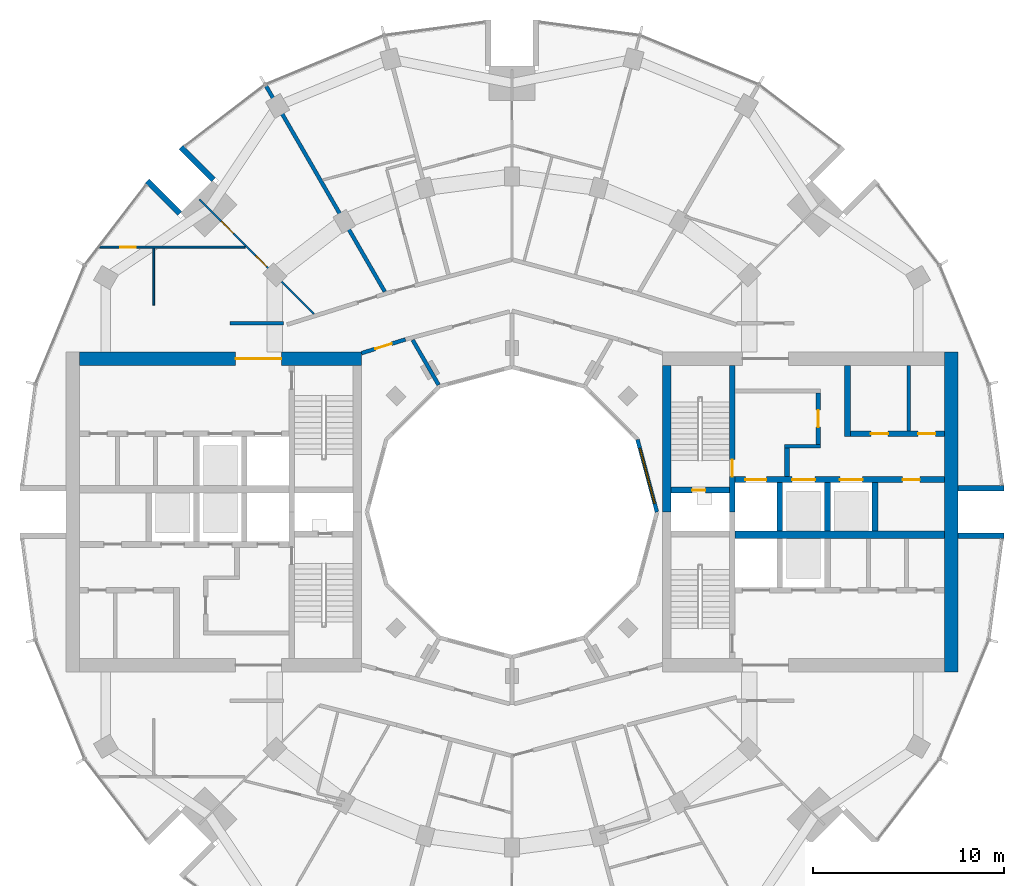
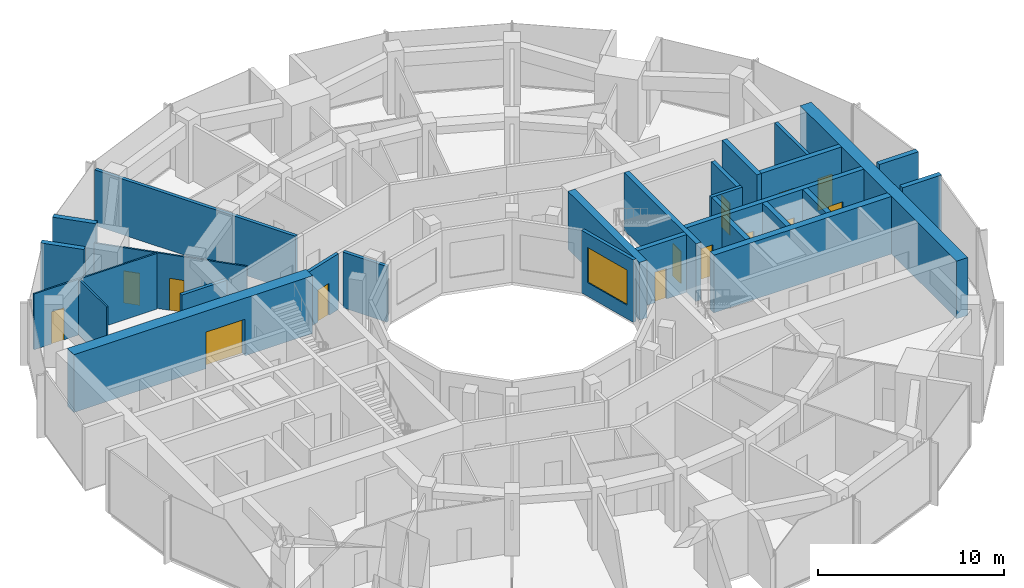
# One storey, part 11 of 15: 28 walls, 14 doors, 1 window, 15 openings.
"""IFC4 building model written with IfcOpenShell, lengths in metres."""

from ifc_helpers import new_model, si_unit, direction, frame, frame_2d, origin, place, context, subcontext, project, spatial, rectangle, extrude, material, layer, layer_set, type_object, element, fill, save


model = new_model("IFC4")

# Units and contexts
model_context = context("Model", 3, precision=1e-05, world=origin(), true_north=direction((0.0, 1.0)))
body_context = subcontext(model_context, "Body", "Model", "MODEL_VIEW")
ifc_project = project(units=[si_unit("LENGTHUNIT", "METRE"), si_unit("AREAUNIT", "SQUARE_METRE"), si_unit("VOLUMEUNIT", "CUBIC_METRE"), si_unit("PLANEANGLEUNIT", "RADIAN"), si_unit("MASSUNIT", "GRAM", prefix="KILO")], contexts=[model_context])

# Site, building, storey
site_placement = place(None, origin())
site = spatial("IfcSite", under=ifc_project, at=site_placement, CompositionType="ELEMENT")
building_placement = place(site_placement, origin())
building = spatial("IfcBuilding", under=site, at=building_placement, Name="Torre Brocal", CompositionType="ELEMENT")
storey_placement = place(building_placement, frame((0.0, 0.0, 190.5)))
storey = spatial("IfcBuildingStorey", under=building, at=storey_placement, Name="L44", CompositionType="ELEMENT", Elevation=190.5)

# Walls
ifc_material_1 = material(Name="Masonry block", Category="masonry")
ifc_layer_1 = layer(ifc_material_1, 0.199951171875)
ifc_layer_set_1 = layer_set([ifc_layer_1], Name="Masonry block")
wall_type_1 = type_object("IfcWallType", Name="CORE PARTITION 200", PredefinedType="PARTITIONING", material=ifc_layer_set_1)
wall_1_placement = place(storey_placement, frame((100.819091796875, 79.25, 0.0), z_axis=(0.0, 0.0, 1.0), x_axis=(0.0, 1.0, 0.0)))
element("IfcWall", 1, at=wall_1_placement, inside=storey, type_object=wall_type_1, Name="Wall CP200", PredefinedType="PARTITIONING", context=body_context, shape_type="SweptSolid", body=[
    extrude(rectangle(XDim=3.449951171875, YDim=0.199951171875, at=frame_2d((1.72509765625, 0.0))), origin(), (0.0, 0.0, 1.0), 3.780029296875),
])
ifc_material_2 = material(Name="Concrete C70", Category="concrete")
ifc_layer_2 = layer(ifc_material_2, 0.199951171875)
ifc_layer_set_2 = layer_set([ifc_layer_2], Name="Concrete C70")
wall_type_2 = type_object("IfcWallType", Name="CORE WALL 200 C70", PredefinedType="SHEAR", material=ifc_layer_set_2)
wall_2_placement = place(storey_placement, frame((94.300048828125, 78.449951171875, 0.0), z_axis=(0.0, 0.0, 1.0), x_axis=(1.0, 0.0, 0.0)))
element("IfcWall", 2, at=wall_2_placement, inside=storey, type_object=wall_type_2, Name="Wall CW200-70", PredefinedType="SHEAR", context=body_context, shape_type="SweptSolid", body=[
    extrude(rectangle(XDim=1.89990234375, YDim=0.199951171875, at=frame_2d((0.949951171875, 0.0))), origin(), (0.0, 0.0, 1.0), 3.780029296875),
])

# Wall, opening, door
ifc_material_3 = material(Name="Concrete C70", Category="concrete")
ifc_layer_3 = layer(ifc_material_3, 0.25)
ifc_layer_set_3 = layer_set([ifc_layer_3], Name="Concrete C70")
wall_type_3 = type_object("IfcWallType", Name="CORE WALL 250 C70", PredefinedType="SHEAR", material=ifc_layer_set_3)
wall_3_placement = place(storey_placement, frame((96.074951171875, 78.550048828125, 0.0), z_axis=(0.0, 0.0, 1.0), x_axis=(0.0, 1.0, 0.0)))
wall_3 = element("IfcWall", 3, at=wall_3_placement, inside=storey, type_object=wall_type_3, Name="Wall CW250-70", PredefinedType="SHEAR", context=body_context, shape_type="SweptSolid", body=[
    extrude(rectangle(XDim=2.699951171875, YDim=0.25, at=frame_2d((1.35009765625, 0.0))), origin(), (0.0, 0.0, 1.0), 3.780029296875),
])
opening_1_placement = place(wall_3_placement, frame((0.89990234375, 0.0, 0.0)))
opening_1 = element("IfcOpeningElement", 4, at=opening_1_placement, cuts=wall_3, Name="Opening E-D08", PredefinedType="OPENING", context=body_context, shape_type="SweptSolid", body=[
    extrude(rectangle(XDim=0.89990234375, YDim=2.10009765625, at=frame_2d((0.449951171875, 1.050048828125))), frame((0.0, 0.135009765625, 0.0), z_axis=(0.0, -1.0, 0.0), x_axis=(1.0, 0.0, 0.0)), (0.0, 0.0, 1.0), 0.27001953125),
])
ifc_material_4 = material(Name="Steel A653", Category="steel")
door_type_1 = type_object("IfcDoorType", Name="LOBBY DOOR FD120 900X2100", OperationType="SINGLE_SWING_RIGHT", PredefinedType="DOOR", material=ifc_material_4)
door_1_placement = place(opening_1_placement, origin())
door_1 = element("IfcDoor", 5, at=door_1_placement, inside=storey, type_object=door_type_1, Name="Door E-D08", OperationType="SINGLE_SWING_LEFT", OverallHeight=2.10009765625, OverallWidth=0.89990234375, PredefinedType="DOOR", context=body_context, shape_type="SweptSolid", body=[
    extrude(rectangle(XDim=0.89990234375, YDim=2.10009765625, at=frame_2d((0.449951171875, 1.050048828125))), frame((0.0, 0.02490234375, 0.0), z_axis=(0.0, -1.0, 0.0), x_axis=(1.0, 0.0, 0.0)), (0.0, 0.0, 1.0), 0.050048828125),
])
fill(opening_1, door_1)

# Wall
wall_4_placement = place(storey_placement, frame((94.425048828125, 76.85009765625, 0.0), z_axis=(0.0, 0.0, 1.0), x_axis=(0.0, 1.0, 0.0)))
element("IfcWall", 6, at=wall_4_placement, inside=storey, type_object=wall_type_3, Name="Wall CW250-70", PredefinedType="SHEAR", context=body_context, shape_type="SweptSolid", body=[
    extrude(rectangle(XDim=1.5, YDim=0.25, at=frame_2d((0.75, 0.0))), origin(), (0.0, 0.0, 1.0), 3.780029296875),
])

# Wall, opening, door
ifc_material_5 = material(Name="Concrete C70", Category="concrete")
ifc_layer_4 = layer(ifc_material_5, 0.300048828125)
ifc_layer_set_4 = layer_set([ifc_layer_4], Name="Concrete C70")
wall_type_4 = type_object("IfcWallType", Name="CORE WALL 300 C70", PredefinedType="SHEAR", material=ifc_layer_set_4)
wall_5_placement = place(storey_placement, frame((91.550048828125, 75.0, 0.0), z_axis=(0.0, 0.0, 1.0), x_axis=(0.0, 1.0, 0.0)))
wall_5 = element("IfcWall", 7, at=wall_5_placement, inside=storey, type_object=wall_type_4, Name="Wall CW300-70", PredefinedType="SHEAR", context=body_context, shape_type="SweptSolid", body=[
    extrude(rectangle(XDim=7.699951171875, YDim=0.300048828125, at=frame_2d((3.85009765625, 0.0))), origin(), (0.0, 0.0, 1.0), 3.780029296875),
])
opening_2_placement = place(wall_5_placement, frame((1.85009765625, 0.0, 0.0)))
opening_2 = element("IfcOpeningElement", 8, at=opening_2_placement, cuts=wall_5, Name="Opening E-D02", PredefinedType="OPENING", context=body_context, shape_type="SweptSolid", body=[
    extrude(rectangle(XDim=0.89990234375, YDim=2.10009765625, at=frame_2d((0.449951171875, 1.050048828125))), frame((0.0, 0.159912109375, 0.0), z_axis=(0.0, -1.0, 0.0), x_axis=(1.0, 0.0, 0.0)), (0.0, 0.0, 1.0), 0.320068359375),
])
ifc_material_6 = material(Name="Steel A653", Category="steel")
door_type_2 = type_object("IfcDoorType", Name="STAIR DOOR FD120 900X2100", OperationType="SINGLE_SWING_RIGHT", PredefinedType="DOOR", material=ifc_material_6)
door_2_placement = place(opening_2_placement, origin())
door_2 = element("IfcDoor", 9, at=door_2_placement, inside=storey, type_object=door_type_2, Name="Door E-D02", OperationType="SINGLE_SWING_LEFT", OverallHeight=2.10009765625, OverallWidth=0.89990234375, PredefinedType="DOOR", context=body_context, shape_type="SweptSolid", body=[
    extrude(rectangle(XDim=0.89990234375, YDim=2.10009765625, at=frame_2d((0.449951171875, 1.050048828125))), frame((0.0, 0.02490234375, 0.0), z_axis=(0.0, -1.0, 0.0), x_axis=(1.0, 0.0, 0.0)), (0.0, 0.0, 1.0), 0.050048828125),
])
fill(opening_2, door_2)

wall_6_placement = place(storey_placement, frame((88.35009765625, 76.14990234375, 0.0), z_axis=(0.0, 0.0, 1.0), x_axis=(1.0, 0.0, 0.0)))
wall_6 = element("IfcWall", 10, at=wall_6_placement, inside=storey, type_object=wall_type_4, Name="Wall CW300-70", PredefinedType="SHEAR", context=body_context, shape_type="SweptSolid", body=[
    extrude(rectangle(XDim=3.0498046875, YDim=0.300048828125, at=frame_2d((1.52490234375, 0.0))), origin(), (0.0, 0.0, 1.0), 3.780029296875),
])
opening_3_placement = place(wall_6_placement, frame((1.10009765625, 0.0, 0.0)))
opening_3 = element("IfcOpeningElement", 11, at=opening_3_placement, cuts=wall_6, Name="Opening E-D01", PredefinedType="OPENING", context=body_context, shape_type="SweptSolid", body=[
    extrude(rectangle(XDim=0.699951171875, YDim=2.0, at=frame_2d((0.35009765625, 1.0))), frame((0.0, 0.159912109375, 0.0), z_axis=(0.0, -1.0, 0.0), x_axis=(1.0, 0.0, 0.0)), (0.0, 0.0, 1.0), 0.320068359375),
])
ifc_material_7 = material(Name="Steel A653", Category="steel")
door_type_3 = type_object("IfcDoorType", Name="RISER DOOR FD120 700X2000", OperationType="SINGLE_SWING_LEFT", PredefinedType="DOOR", material=ifc_material_7)
door_3_placement = place(opening_3_placement, frame((0.699951171875, 0.0, 0.0), z_axis=(0.0, 0.0, 1.0), x_axis=(-1.0, 0.0, 0.0)))
door_3 = element("IfcDoor", 12, at=door_3_placement, inside=storey, type_object=door_type_3, Name="Door E-D01", OperationType="SINGLE_SWING_RIGHT", OverallHeight=2.0, OverallWidth=0.699951171875, PredefinedType="DOOR", context=body_context, shape_type="SweptSolid", body=[
    extrude(rectangle(XDim=0.699951171875, YDim=2.0, at=frame_2d((0.35009765625, 1.0))), frame((0.0, 0.02490234375, 0.0), z_axis=(0.0, -1.0, 0.0), x_axis=(1.0, 0.0, 0.0)), (0.0, 0.0, 1.0), 0.050048828125),
])
fill(opening_3, door_3)

# Wall, openings, doors
wall_7_placement = place(storey_placement, frame((91.699951171875, 76.699951171875, 0.0), z_axis=(0.0, 0.0, 1.0), x_axis=(1.0, 0.0, 0.0)))
wall_7 = element("IfcWall", 13, at=wall_7_placement, inside=storey, type_object=wall_type_4, Name="Wall CW300-70", PredefinedType="SHEAR", context=body_context, shape_type="SweptSolid", body=[
    extrude(rectangle(XDim=11.0, YDim=0.300048828125, at=frame_2d((5.5, 0.0))), origin(), (0.0, 0.0, 1.0), 3.780029296875),
])
opening_4_placement = place(wall_7_placement, frame((0.550048828125, 0.0, 0.0)))
opening_4 = element("IfcOpeningElement", 14, at=opening_4_placement, cuts=wall_7, Name="Opening LD", PredefinedType="OPENING", context=body_context, shape_type="SweptSolid", body=[
    extrude(rectangle(XDim=1.10009765625, YDim=2.10009765625, at=frame_2d((0.550048828125, 1.050048828125))), frame((0.0, 0.159912109375, 0.0), z_axis=(0.0, -1.0, 0.0), x_axis=(1.0, 0.0, 0.0)), (0.0, 0.0, 1.0), 0.320068359375),
])
opening_5_placement = place(wall_7_placement, frame((3.0, 0.0, 0.0)))
opening_5 = element("IfcOpeningElement", 15, at=opening_5_placement, cuts=wall_7, Name="Opening LD12", PredefinedType="OPENING", context=body_context, shape_type="SweptSolid", body=[
    extrude(rectangle(XDim=1.199951171875, YDim=2.10009765625, at=frame_2d((0.60009765625, 1.050048828125))), frame((0.0, 0.159912109375, 0.0), z_axis=(0.0, -1.0, 0.0), x_axis=(1.0, 0.0, 0.0)), (0.0, 0.0, 1.0), 0.320068359375),
])
opening_6_placement = place(wall_7_placement, frame((5.5, 0.0, 0.0)))
opening_6 = element("IfcOpeningElement", 16, at=opening_6_placement, cuts=wall_7, Name="Opening LD12", PredefinedType="OPENING", context=body_context, shape_type="SweptSolid", body=[
    extrude(rectangle(XDim=1.199951171875, YDim=2.10009765625, at=frame_2d((0.60009765625, 1.050048828125))), frame((0.0, 0.159912109375, 0.0), z_axis=(0.0, -1.0, 0.0), x_axis=(1.0, 0.0, 0.0)), (0.0, 0.0, 1.0), 0.320068359375),
])
opening_7_placement = place(wall_7_placement, frame((8.800048828125, 0.0, 0.0)))
opening_7 = element("IfcOpeningElement", 17, at=opening_7_placement, cuts=wall_7, Name="Opening E-D04", PredefinedType="OPENING", context=body_context, shape_type="SweptSolid", body=[
    extrude(rectangle(XDim=0.89990234375, YDim=2.10009765625, at=frame_2d((0.449951171875, 1.050048828125))), frame((0.0, 0.159912109375, 0.0), z_axis=(0.0, -1.0, 0.0), x_axis=(1.0, 0.0, 0.0)), (0.0, 0.0, 1.0), 0.320068359375),
])
ifc_material_8 = material(Name="Stainless steel AISI 316", Category="steel")
door_type_4 = type_object("IfcDoorType", Name="LIFT LANDING DOOR 1100X2100", OperationType="DOUBLE_DOOR_SLIDING", PredefinedType="DOOR", material=ifc_material_8)
door_4_placement = place(opening_4_placement, origin())
door_4 = element("IfcDoor", 18, at=door_4_placement, inside=storey, type_object=door_type_4, Name="Door LD", OperationType="DOUBLE_DOOR_SLIDING", OverallHeight=2.10009765625, OverallWidth=1.10009765625, PredefinedType="DOOR", context=body_context, shape_type="SweptSolid", body=[
    extrude(rectangle(XDim=1.10009765625, YDim=2.10009765625, at=frame_2d((0.550048828125, 1.050048828125))), frame((0.0, 0.02490234375, 0.0), z_axis=(0.0, -1.0, 0.0), x_axis=(1.0, 0.0, 0.0)), (0.0, 0.0, 1.0), 0.050048828125),
])
fill(opening_4, door_4)
ifc_material_9 = material(Name="Stainless steel AISI 316", Category="steel")
door_type_5 = type_object("IfcDoorType", Name="LIFT LANDING DOOR 1200X2100", OperationType="DOUBLE_DOOR_SLIDING", PredefinedType="DOOR", material=ifc_material_9)
door_5_placement = place(opening_5_placement, origin())
door_5 = element("IfcDoor", 19, at=door_5_placement, inside=storey, type_object=door_type_5, Name="Door LD12", OperationType="DOUBLE_DOOR_SLIDING", OverallHeight=2.10009765625, OverallWidth=1.199951171875, PredefinedType="DOOR", context=body_context, shape_type="SweptSolid", body=[
    extrude(rectangle(XDim=1.199951171875, YDim=2.10009765625, at=frame_2d((0.60009765625, 1.050048828125))), frame((0.0, 0.02490234375, 0.0), z_axis=(0.0, -1.0, 0.0), x_axis=(1.0, 0.0, 0.0)), (0.0, 0.0, 1.0), 0.050048828125),
])
fill(opening_5, door_5)
door_6_placement = place(opening_6_placement, origin())
door_6 = element("IfcDoor", 20, at=door_6_placement, inside=storey, type_object=door_type_5, Name="Door LD12", OperationType="DOUBLE_DOOR_SLIDING", OverallHeight=2.10009765625, OverallWidth=1.199951171875, PredefinedType="DOOR", context=body_context, shape_type="SweptSolid", body=[
    extrude(rectangle(XDim=1.199951171875, YDim=2.10009765625, at=frame_2d((0.60009765625, 1.050048828125))), frame((0.0, 0.02490234375, 0.0), z_axis=(0.0, -1.0, 0.0), x_axis=(1.0, 0.0, 0.0)), (0.0, 0.0, 1.0), 0.050048828125),
])
fill(opening_6, door_6)
ifc_material_10 = material(Name="Steel A653", Category="steel")
door_type_6 = type_object("IfcDoorType", Name="ROOM DOOR FD30S 900X2100", OperationType="SINGLE_SWING_LEFT", PredefinedType="DOOR", material=ifc_material_10)
door_7_placement = place(opening_7_placement, frame((0.89990234375, 0.0, 0.0), z_axis=(0.0, 0.0, 1.0), x_axis=(-1.0, 0.0, 0.0)))
door_7 = element("IfcDoor", 21, at=door_7_placement, inside=storey, type_object=door_type_6, Name="Door E-D04", OperationType="SINGLE_SWING_LEFT", OverallHeight=2.10009765625, OverallWidth=0.89990234375, PredefinedType="DOOR", context=body_context, shape_type="SweptSolid", body=[
    extrude(rectangle(XDim=0.89990234375, YDim=2.10009765625, at=frame_2d((0.449951171875, 1.050048828125))), frame((0.0, 0.02490234375, 0.0), z_axis=(0.0, -1.0, 0.0), x_axis=(1.0, 0.0, 0.0)), (0.0, 0.0, 1.0), 0.050048828125),
])
fill(opening_7, door_7)

# Walls
for number, where, z_axis, x_axis, name in (
    (22, (94.050048828125, 74.0, 0.0), (0.0, 0.0, 1.0), (0.0, 1.0, 0.0), "Wall CW300-70"),
    (23, (96.550048828125, 74.0, 0.0), (0.0, 0.0, 1.0), (0.0, 1.0, 0.0), "Wall CW300-70"),
    (24, (99.050048828125, 74.0, 0.0), (0.0, 0.0, 1.0), (0.0, 1.0, 0.0), "Wall CW300-70"),
):
    element("IfcWall", number, at=place(storey_placement, frame(where, z_axis=z_axis, x_axis=x_axis)), inside=storey, type_object=wall_type_4, Name=name, PredefinedType="SHEAR", context=body_context, shape_type="SweptSolid", body=[
        extrude(rectangle(XDim=2.550048828125, YDim=0.300048828125, at=frame_2d((1.27490234375, 0.0))), origin(), (0.0, 0.0, 1.0), 3.780029296875),
    ])
wall_8_placement = place(storey_placement, frame((97.60009765625, 78.949951171875, 0.0), z_axis=(0.0, 0.0, 1.0), x_axis=(0.0, 1.0, 0.0)))
element("IfcWall", 25, at=wall_8_placement, inside=storey, type_object=wall_type_4, Name="Wall CW300-70", PredefinedType="SHEAR", context=body_context, shape_type="SweptSolid", body=[
    extrude(rectangle(XDim=3.75, YDim=0.300048828125, at=frame_2d((1.875, 0.0))), origin(), (0.0, 0.0, 1.0), 3.780029296875),
])

# Wall, openings, doors
wall_9_placement = place(storey_placement, frame((97.75, 79.10009765625, 0.0), z_axis=(0.0, 0.0, 1.0), x_axis=(1.0, 0.0, 0.0)))
wall_9 = element("IfcWall", 26, at=wall_9_placement, inside=storey, type_object=wall_type_4, Name="Wall CW300-70", PredefinedType="SHEAR", context=body_context, shape_type="SweptSolid", body=[
    extrude(rectangle(XDim=4.949951171875, YDim=0.300048828125, at=frame_2d((2.47509765625, 0.0))), origin(), (0.0, 0.0, 1.0), 3.780029296875),
])
opening_8_placement = place(wall_9_placement, frame((1.08447265625, 0.0, 0.0)))
opening_8 = element("IfcOpeningElement", 27, at=opening_8_placement, cuts=wall_9, Name="Opening E-D09", PredefinedType="OPENING", context=body_context, shape_type="SweptSolid", body=[
    extrude(rectangle(XDim=0.89990234375, YDim=2.10009765625, at=frame_2d((0.449951171875, 1.050048828125))), frame((0.0, 0.159912109375, 0.0), z_axis=(0.0, -1.0, 0.0), x_axis=(1.0, 0.0, 0.0)), (0.0, 0.0, 1.0), 0.320068359375),
])
opening_9_placement = place(wall_9_placement, frame((3.5595703125, 0.0, 0.0)))
opening_9 = element("IfcOpeningElement", 28, at=opening_9_placement, cuts=wall_9, Name="Opening E-D10", PredefinedType="OPENING", context=body_context, shape_type="SweptSolid", body=[
    extrude(rectangle(XDim=0.89990234375, YDim=2.10009765625, at=frame_2d((0.449951171875, 1.050048828125))), frame((0.0, 0.159912109375, 0.0), z_axis=(0.0, -1.0, 0.0), x_axis=(1.0, 0.0, 0.0)), (0.0, 0.0, 1.0), 0.320068359375),
])
door_8_placement = place(opening_8_placement, origin())
door_8 = element("IfcDoor", 29, at=door_8_placement, inside=storey, type_object=door_type_6, Name="Door E-D09", OperationType="SINGLE_SWING_RIGHT", OverallHeight=2.10009765625, OverallWidth=0.89990234375, PredefinedType="DOOR", context=body_context, shape_type="SweptSolid", body=[
    extrude(rectangle(XDim=0.89990234375, YDim=2.10009765625, at=frame_2d((0.449951171875, 1.050048828125))), frame((0.0, 0.02490234375, 0.0), z_axis=(0.0, -1.0, 0.0), x_axis=(1.0, 0.0, 0.0)), (0.0, 0.0, 1.0), 0.050048828125),
])
fill(opening_8, door_8)
door_9_placement = place(opening_9_placement, origin())
door_9 = element("IfcDoor", 30, at=door_9_placement, inside=storey, type_object=door_type_6, Name="Door E-D10", OperationType="SINGLE_SWING_LEFT", OverallHeight=2.10009765625, OverallWidth=0.89990234375, PredefinedType="DOOR", context=body_context, shape_type="SweptSolid", body=[
    extrude(rectangle(XDim=0.89990234375, YDim=2.10009765625, at=frame_2d((0.449951171875, 1.050048828125))), frame((0.0, 0.02490234375, 0.0), z_axis=(0.0, -1.0, 0.0), x_axis=(1.0, 0.0, 0.0)), (0.0, 0.0, 1.0), 0.050048828125),
])
fill(opening_9, door_9)

# Walls
ifc_material_11 = material(Name="Concrete C70", Category="concrete")
ifc_layer_5 = layer(ifc_material_11, 0.39990234375)
ifc_layer_set_5 = layer_set([ifc_layer_5], Name="Concrete C70")
wall_type_5 = type_object("IfcWallType", Name="CORE WALL 400 C70", PredefinedType="SHEAR", material=ifc_layer_set_5)
wall_10_placement = place(storey_placement, frame((91.699951171875, 73.800048828125, 0.0), z_axis=(0.0, 0.0, 1.0), x_axis=(1.0, 0.0, 0.0)))
element("IfcWall", 31, at=wall_10_placement, inside=storey, type_object=wall_type_5, Name="Wall CW400-70", PredefinedType="SHEAR", context=body_context, shape_type="SweptSolid", body=[
    extrude(rectangle(XDim=11.0, YDim=0.39990234375, at=frame_2d((5.5, 0.0))), origin(), (0.0, 0.0, 1.0), 3.780029296875),
])
ifc_material_12 = material(Name="Concrete C70", Category="concrete")
ifc_layer_6 = layer(ifc_material_12, 0.449951171875)
ifc_layer_set_6 = layer_set([ifc_layer_6], Name="Concrete C70")
wall_type_6 = type_object("IfcWallType", Name="CORE WALL 450 C70", PredefinedType="SHEAR", material=ifc_layer_set_6)
wall_11_placement = place(storey_placement, frame((88.125, 75.0, 0.0), z_axis=(0.0, 0.0, 1.0), x_axis=(0.0, 1.0, 0.0)))
element("IfcWall", 32, at=wall_11_placement, inside=storey, type_object=wall_type_6, Name="Wall CW450-70", PredefinedType="SHEAR", context=body_context, shape_type="SweptSolid", body=[
    extrude(rectangle(XDim=7.699951171875, YDim=0.449951171875, at=frame_2d((3.85009765625, 0.0))), origin(), (0.0, 0.0, 1.0), 3.780029296875),
])
ifc_material_13 = material(Name="Concrete C70", Category="concrete")
ifc_layer_7 = layer(ifc_material_13, 0.699951171875)
ifc_layer_set_7 = layer_set([ifc_layer_7], Name="Concrete C70")
wall_type_7 = type_object("IfcWallType", Name="CORE WALL 700 C70", PredefinedType="SHEAR", material=ifc_layer_set_7)
wall_12_placement = place(storey_placement, frame((103.050048828125, 66.60009765625, 0.0), z_axis=(0.0, 0.0, 1.0), x_axis=(0.0, 1.0, 0.0)))
element("IfcWall", 33, at=wall_12_placement, inside=storey, type_object=wall_type_7, Name="Wall CW700-70", PredefinedType="SHEAR", context=body_context, shape_type="SweptSolid", body=[
    extrude(rectangle(XDim=16.7998046875, YDim=0.699951171875, at=frame_2d((8.39990234375, 0.0))), origin(), (0.0, 0.0, 1.0), 3.780029296875),
])

# Wall, opening, door
wall_13_placement = place(storey_placement, frame((72.10009765625, 83.050048828125, 0.0), z_axis=(0.0, 0.0, 1.0), x_axis=(-1.0, 0.0, 0.0)))
wall_13 = element("IfcWall", 34, at=wall_13_placement, inside=storey, type_object=wall_type_7, Name="Wall CW700-70", PredefinedType="SHEAR", context=body_context, shape_type="SweptSolid", body=[
    extrude(rectangle(XDim=14.800048828125, YDim=0.699951171875, at=frame_2d((7.39990234375, 0.0))), origin(), (0.0, 0.0, 1.0), 3.780029296875),
])
opening_10_placement = place(wall_13_placement, frame((4.199951171875, 0.0, 0.0)))
opening_10 = element("IfcOpeningElement", 35, at=opening_10_placement, cuts=wall_13, Name="Opening W-D12", PredefinedType="OPENING", context=body_context, shape_type="SweptSolid", body=[
    extrude(rectangle(XDim=2.39990234375, YDim=2.39990234375, at=frame_2d((1.199951171875, 1.199951171875))), frame((0.0, 0.35986328125, 0.0), z_axis=(0.0, -1.0, 0.0), x_axis=(1.0, 0.0, 0.0)), (0.0, 0.0, 1.0), 0.719970703125),
])
ifc_material_14 = material(Name="Steel A653", Category="steel")
door_type_7 = type_object("IfcDoorType", Name="DOUBLE FIRE DOOR FD90 2400X2400", OperationType="DOUBLE_DOOR_SINGLE_SWING", PredefinedType="DOOR", material=ifc_material_14)
door_10_placement = place(opening_10_placement, origin())
door_10 = element("IfcDoor", 36, at=door_10_placement, inside=storey, type_object=door_type_7, Name="Door W-D12", OperationType="DOUBLE_DOOR_SINGLE_SWING", OverallHeight=2.39990234375, OverallWidth=2.39990234375, PredefinedType="DOOR", context=body_context, shape_type="SweptSolid", body=[
    extrude(rectangle(XDim=2.39990234375, YDim=2.39990234375, at=frame_2d((1.199951171875, 1.199951171875))), frame((0.0, 0.02490234375, 0.0), z_axis=(0.0, -1.0, 0.0), x_axis=(1.0, 0.0, 0.0)), (0.0, 0.0, 1.0), 0.050048828125),
])
fill(opening_10, door_10)

# Walls
ifc_material_15 = material(Name="Concrete C70", Category="concrete")
ifc_layer_8 = layer(ifc_material_15, 0.300048828125)
ifc_layer_set_8 = layer_set([ifc_layer_8], Name="Concrete C70")
wall_type_8 = type_object("IfcWallType", Name="NOTCH RETURN WALL 300 C70", PredefinedType="NOTDEFINED", material=ifc_layer_set_8)
for number, where, z_axis, x_axis, name in (
    (37, (103.39990234375, 73.75, 0.0), (0.0, 0.0, 1.0), (1.0, 0.0, 0.0), "NOTCH RETURN WALL"),
    (38, (103.39990234375, 76.25, 0.0), (0.0, 0.0, 1.0), (1.0, 0.0, 0.0), "NOTCH RETURN WALL"),
    (39, (64.337646484375, 92.43017578125, 0.0), (0.0, 0.0, 1.0), (-0.707106781187, 0.707106781187, 0.0), "NOTCH RETURN WALL"),
    (40, (62.56982421875, 90.662353515625, 0.0), (0.0, 0.0, 1.0), (-0.707106781187, 0.707106781187, 0.0), "NOTCH RETURN WALL"),
):
    element("IfcWall", number, at=place(storey_placement, frame(where, z_axis=z_axis, x_axis=x_axis)), inside=storey, type_object=wall_type_8, Name=name, PredefinedType="NOTDEFINED", context=body_context, shape_type="SweptSolid", body=[
        extrude(rectangle(XDim=2.415771484375, YDim=0.300048828125, at=frame_2d((1.2080078125, 0.0))), origin(), (0.0, 0.0, 1.0), 4.10009765625),
    ])

# Wall, opening, door
ifc_material_16 = material(Name="Gypsum board", Category="Gypsum")
ifc_layer_9 = layer(ifc_material_16, 0.10009765625)
ifc_layer_set_9 = layer_set([ifc_layer_9], Name="Gypsum board")
wall_type_9 = type_object("IfcWallType", Name="PARTITION 100", PredefinedType="PARTITIONING", material=ifc_layer_set_9)
wall_14_placement = place(storey_placement, frame((58.37890625, 88.89990234375, 0.0), z_axis=(0.0, 0.0, 1.0), x_axis=(1.0, 0.0, 0.0)))
wall_14 = element("IfcWall", 41, at=wall_14_placement, inside=storey, type_object=wall_type_9, Name="BATHROOM WALL", PredefinedType="PARTITIONING", context=body_context, shape_type="SweptSolid", body=[
    extrude(rectangle(XDim=7.612060546875, YDim=0.10009765625, at=frame_2d((3.80615234375, 0.0))), origin(), (0.0, 0.0, 1.0), 3.64990234375),
])
opening_11_placement = place(wall_14_placement, frame((1.075439453125, 0.0, 0.0)))
opening_11 = element("IfcOpeningElement", 42, at=opening_11_placement, cuts=wall_14, Name="Opening R03-D15", PredefinedType="OPENING", context=body_context, shape_type="SweptSolid", body=[
    extrude(rectangle(XDim=0.800048828125, YDim=2.10009765625, at=frame_2d((0.39990234375, 1.050048828125))), frame((0.0, 0.06005859375, 0.0), z_axis=(0.0, -1.0, 0.0), x_axis=(1.0, 0.0, 0.0)), (0.0, 0.0, 1.0), 0.1201171875),
])
ifc_material_17 = material(Name="Timber", Category="wood")
door_type_8 = type_object("IfcDoorType", Name="BATHROOM DOOR 800X2100", OperationType="SINGLE_SWING_LEFT", PredefinedType="DOOR", material=ifc_material_17)
door_11_placement = place(opening_11_placement, frame((0.800048828125, 0.0, 0.0), z_axis=(0.0, 0.0, 1.0), x_axis=(-1.0, 0.0, 0.0)))
door_11 = element("IfcDoor", 43, at=door_11_placement, inside=storey, type_object=door_type_8, Name="R03-D15", OperationType="SINGLE_SWING_LEFT", OverallHeight=2.10009765625, OverallWidth=0.800048828125, PredefinedType="DOOR", context=body_context, shape_type="SweptSolid", body=[
    extrude(rectangle(XDim=0.800048828125, YDim=2.10009765625, at=frame_2d((0.39990234375, 1.050048828125))), frame((0.0, 0.02490234375, 0.0), z_axis=(0.0, -1.0, 0.0), x_axis=(1.0, 0.0, 0.0)), (0.0, 0.0, 1.0), 0.050048828125),
])
fill(opening_11, door_11)

# Wall
wall_15_placement = place(storey_placement, frame((61.199951171875, 85.85498046875, 0.0), z_axis=(0.0, 0.0, 1.0), x_axis=(0.0, 1.0, 0.0)))
element("IfcWall", 44, at=wall_15_placement, inside=storey, type_object=wall_type_9, Name="BATHROOM WALL", PredefinedType="PARTITIONING", context=body_context, shape_type="SweptSolid", body=[
    extrude(rectangle(XDim=2.9951171875, YDim=0.10009765625, at=frame_2d((1.49755859375, 0.0))), origin(), (0.0, 0.0, 1.0), 3.64990234375),
])

# Wall, openings, doors
wall_16_placement = place(storey_placement, frame((63.59912109375, 91.40869140625, 0.0), z_axis=(0.0, 0.0, 1.0), x_axis=(0.706920044618, -0.707293468453, 0.0)))
wall_16 = element("IfcWall", 45, at=wall_16_placement, inside=storey, type_object=wall_type_9, Name="BATHROOM WALL", PredefinedType="PARTITIONING", context=body_context, shape_type="SweptSolid", body=[
    extrude(rectangle(XDim=8.499267578125, YDim=0.10009765625, at=frame_2d((4.24951171875, 0.0))), origin(), (0.0, 0.0, 1.0), 3.64990234375),
])
opening_12_placement = place(wall_16_placement, frame((1.6318359375, 0.0, 0.0)))
opening_12 = element("IfcOpeningElement", 46, at=opening_12_placement, cuts=wall_16, Name="Opening R03-D14", PredefinedType="OPENING", context=body_context, shape_type="SweptSolid", body=[
    extrude(rectangle(XDim=0.89990234375, YDim=2.10009765625, at=frame_2d((0.449951171875, 1.050048828125))), frame((0.0, 0.06005859375, 0.0), z_axis=(0.0, -1.0, 0.0), x_axis=(1.0, 0.0, 0.0)), (0.0, 0.0, 1.0), 0.1201171875),
])
opening_13_placement = place(wall_16_placement, frame((4.186279296875, 0.0, 0.0)))
opening_13 = element("IfcOpeningElement", 47, at=opening_13_placement, cuts=wall_16, Name="Opening R03-D16", PredefinedType="OPENING", context=body_context, shape_type="SweptSolid", body=[
    extrude(rectangle(XDim=0.800048828125, YDim=2.10009765625, at=frame_2d((0.39990234375, 1.050048828125))), frame((0.0, 0.06005859375, 0.0), z_axis=(0.0, -1.0, 0.0), x_axis=(1.0, 0.0, 0.0)), (0.0, 0.0, 1.0), 0.1201171875),
])
door_12_placement = place(opening_13_placement, frame((0.800048828125, 0.0, 0.0), z_axis=(0.0, 0.0, 1.0), x_axis=(-1.0, 0.0, 0.0)))
door_12 = element("IfcDoor", 48, at=door_12_placement, inside=storey, type_object=door_type_8, Name="R03-D16", OperationType="SINGLE_SWING_RIGHT", OverallHeight=2.10009765625, OverallWidth=0.800048828125, PredefinedType="DOOR", context=body_context, shape_type="SweptSolid", body=[
    extrude(rectangle(XDim=0.800048828125, YDim=2.10009765625, at=frame_2d((0.39990234375, 1.050048828125))), frame((0.0, 0.02490234375, 0.0), z_axis=(0.0, -1.0, 0.0), x_axis=(1.0, 0.0, 0.0)), (0.0, 0.0, 1.0), 0.050048828125),
])
fill(opening_13, door_12)
ifc_material_18 = material(Name="Timber", Category="wood")
door_type_9 = type_object("IfcDoorType", Name="ROOM DOOR 900X2100", OperationType="SINGLE_SWING_LEFT", PredefinedType="DOOR", material=ifc_material_18)
door_13_placement = place(opening_12_placement, frame((0.89990234375, 0.0, 0.0), z_axis=(0.0, 0.0, 1.0), x_axis=(-1.0, 0.0, 0.0)))
door_13 = element("IfcDoor", 49, at=door_13_placement, inside=storey, type_object=door_type_9, Name="R03-D14", OperationType="SINGLE_SWING_LEFT", OverallHeight=2.10009765625, OverallWidth=0.89990234375, PredefinedType="DOOR", context=body_context, shape_type="SweptSolid", body=[
    extrude(rectangle(XDim=0.89990234375, YDim=2.10009765625, at=frame_2d((0.449951171875, 1.050048828125))), frame((0.0, 0.02490234375, 0.0), z_axis=(0.0, -1.0, 0.0), x_axis=(1.0, 0.0, 0.0)), (0.0, 0.0, 1.0), 0.050048828125),
])
fill(opening_12, door_13)

# Walls
ifc_material_19 = material(Name="Gypsum board", Category="Gypsum")
ifc_layer_10 = layer(ifc_material_19, 0.199951171875)
ifc_layer_set_10 = layer_set([ifc_layer_10], Name="Gypsum board")
wall_type_10 = type_object("IfcWallType", Name="PARTITION 200 EI60", PredefinedType="PARTITIONING", material=ifc_layer_set_10)
wall_17_placement = place(storey_placement, frame((65.199951171875, 84.89990234375, 0.0), z_axis=(0.0, 0.0, 1.0), x_axis=(1.0, 0.0, 0.0)))
element("IfcWall", 50, at=wall_17_placement, inside=storey, type_object=wall_type_10, Name="CORRIDOR WALL", PredefinedType="PARTITIONING", context=body_context, shape_type="SweptSolid", body=[
    extrude(rectangle(XDim=2.800048828125, YDim=0.199951171875, at=frame_2d((1.39990234375, 0.0))), origin(), (0.0, 0.0, 1.0), 3.64990234375),
])
wall_18_placement = place(storey_placement, frame((67.101806640625, 97.341796875, 0.0), z_axis=(0.0, 0.0, 1.0), x_axis=(0.499940938316, -0.866059500378, 0.0)))
element("IfcWall", 51, at=wall_18_placement, inside=storey, type_object=wall_type_10, Name="PARTY PARTITION", PredefinedType="PARTITIONING", context=body_context, shape_type="SweptSolid", body=[
    extrude(rectangle(XDim=12.44580078125, YDim=0.199951171875, at=frame_2d((6.222900390625, 0.0))), origin(), (0.0, 0.0, 1.0), 3.64990234375),
])

# Wall, opening, door
wall_19_placement = place(storey_placement, frame((72.10009765625, 83.33203125, 0.0), z_axis=(0.0, 0.0, 1.0), x_axis=(0.954233106619, 0.299063836383, 0.0)))
wall_19 = element("IfcWall", 52, at=wall_19_placement, inside=storey, type_object=wall_type_10, Name="CORRIDOR WALL", PredefinedType="PARTITIONING", context=body_context, shape_type="SweptSolid", body=[
    extrude(rectangle(XDim=2.4140625, YDim=0.199951171875, at=frame_2d((1.20703125, 0.0))), origin(), (0.0, 0.0, 1.0), 3.64990234375),
])
opening_14_placement = place(wall_19_placement, frame((0.761962890625, 0.0, 0.0)))
opening_14 = element("IfcOpeningElement", 53, at=opening_14_placement, cuts=wall_19, Name="Opening R03-D20", PredefinedType="OPENING", context=body_context, shape_type="SweptSolid", body=[
    extrude(rectangle(XDim=0.89990234375, YDim=2.10009765625, at=frame_2d((0.449951171875, 1.050048828125))), frame((0.0, 0.10986328125, 0.0), z_axis=(0.0, -1.0, 0.0), x_axis=(1.0, 0.0, 0.0)), (0.0, 0.0, 1.0), 0.219970703125),
])
door_14_placement = place(opening_14_placement, frame((0.89990234375, 0.0, 0.0), z_axis=(0.0, 0.0, 1.0), x_axis=(-1.0, 0.0, 0.0)))
door_14 = element("IfcDoor", 54, at=door_14_placement, inside=storey, type_object=door_type_9, Name="R03-D20", OperationType="SINGLE_SWING_RIGHT", OverallHeight=2.10009765625, OverallWidth=0.89990234375, PredefinedType="DOOR", context=body_context, shape_type="SweptSolid", body=[
    extrude(rectangle(XDim=0.89990234375, YDim=2.10009765625, at=frame_2d((0.449951171875, 1.050048828125))), frame((0.0, 0.02490234375, 0.0), z_axis=(0.0, -1.0, 0.0), x_axis=(1.0, 0.0, 0.0)), (0.0, 0.0, 1.0), 0.050048828125),
])
fill(opening_14, door_14)

# Wall
wall_20_placement = place(storey_placement, frame((74.78759765625, 84.027099609375, 0.0), z_axis=(0.0, 0.0, 1.0), x_axis=(0.499905962189, -0.866079689733, 0.0)))
element("IfcWall", 55, at=wall_20_placement, inside=storey, type_object=wall_type_10, Name="SERVICE ROOM WALL", PredefinedType="PARTITIONING", context=body_context, shape_type="SweptSolid", body=[
    extrude(rectangle(XDim=2.7255859375, YDim=0.199951171875, at=frame_2d((1.36279296875, 0.0))), origin(), (0.0, 0.0, 1.0), 3.64990234375),
])

# Wall, opening, window
ifc_material_20 = material(Name="Concrete C40", Category="concrete")
ifc_layer_11 = layer(ifc_material_20, 0.199951171875)
ifc_layer_set_11 = layer_set([ifc_layer_11], Name="Concrete C40")
wall_type_11 = type_object("IfcWallType", Name="WELL FACADE WALL 200", PredefinedType="NOTDEFINED", material=ifc_layer_set_11)
wall_21_placement = place(storey_placement, frame((87.603515625, 75.0, 0.0), z_axis=(0.0, 0.0, 1.0), x_axis=(-0.258789828301, 0.965933654434, 0.0)))
wall_21 = element("IfcWall", 56, at=wall_21_placement, inside=storey, type_object=wall_type_11, Name="WELL FACADE WALL", PredefinedType="NOTDEFINED", context=body_context, shape_type="SweptSolid", body=[
    extrude(rectangle(XDim=3.935791015625, YDim=0.199951171875, at=frame_2d((1.9677734375, 0.0))), origin(), (0.0, 0.0, 1.0), 4.10009765625),
])
opening_15_placement = place(wall_21_placement, frame((0.468017578125, 0.0, 0.89990234375)))
opening_15 = element("IfcOpeningElement", 57, at=opening_15_placement, cuts=wall_21, Name="Opening W1", PredefinedType="OPENING", context=body_context, shape_type="SweptSolid", body=[
    extrude(rectangle(XDim=3.0, YDim=2.300048828125, at=frame_2d((1.5, 1.14990234375))), frame((0.0, 0.10986328125, 0.0), z_axis=(0.0, -1.0, 0.0), x_axis=(1.0, 0.0, 0.0)), (0.0, 0.0, 1.0), 0.219970703125),
])
ifc_material_21 = material(Name="Aluminium and glass", Category="aluminium")
window_type = type_object("IfcWindowType", Name="WELL WINDOW 3000X2300", PartitioningType="SINGLE_PANEL", PredefinedType="WINDOW", material=ifc_material_21)
window_placement = place(opening_15_placement, origin())
window = element("IfcWindow", 58, at=window_placement, inside=storey, type_object=window_type, Name="WELL WINDOW 3000X2300", OverallHeight=2.300048828125, OverallWidth=3.0, PartitioningType="SINGLE_PANEL", PredefinedType="WINDOW", context=body_context, shape_type="SweptSolid", body=[
    extrude(rectangle(XDim=3.0, YDim=2.300048828125, at=frame_2d((1.5, 1.14990234375))), frame((0.0, 0.030029296875, 0.0), z_axis=(0.0, -1.0, 0.0), x_axis=(1.0, 0.0, 0.0)), (0.0, 0.0, 1.0), 0.06005859375),
])
fill(opening_15, window)

save(model, "model.ifc")
